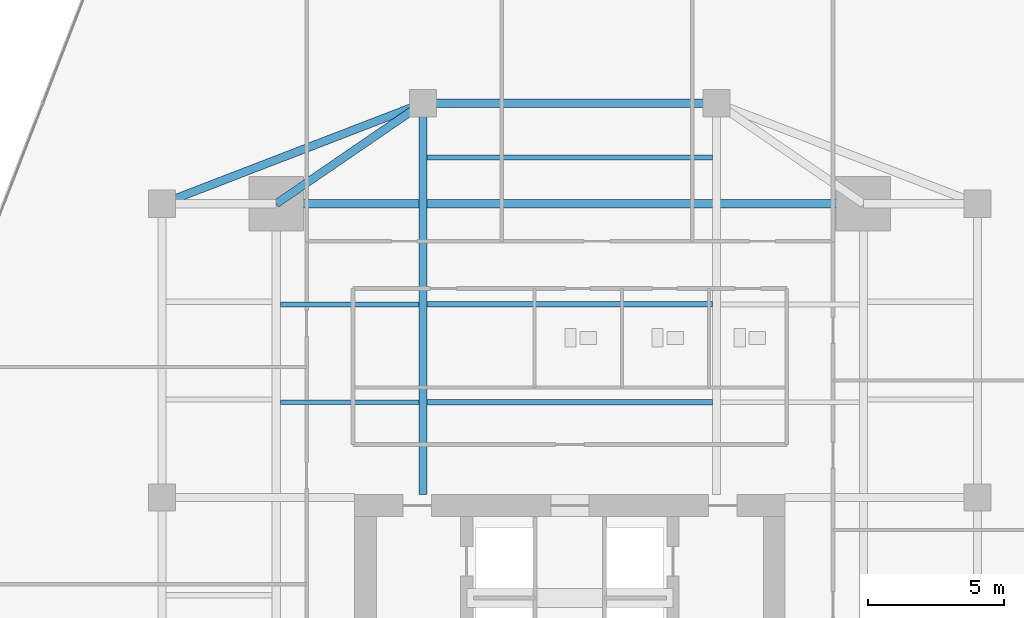
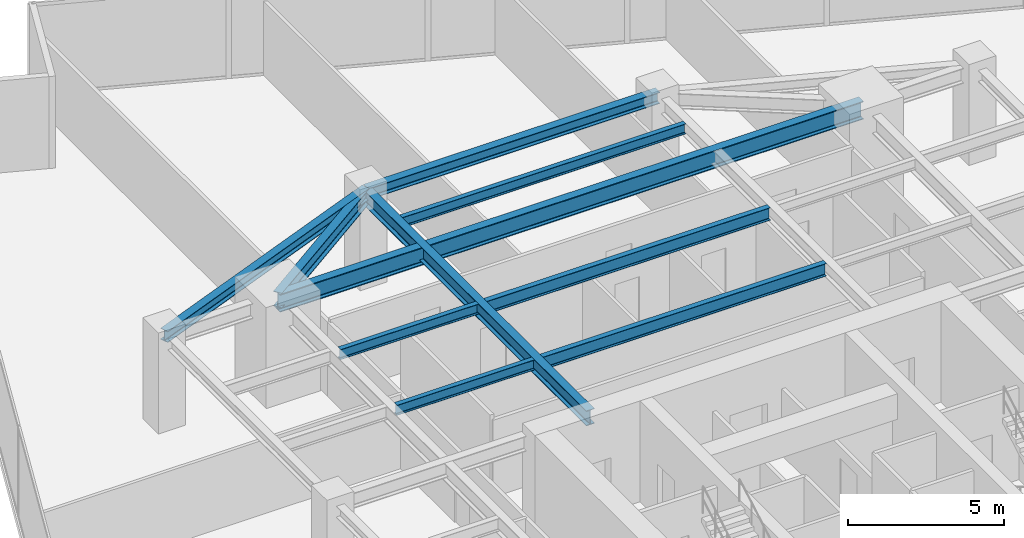
# One storey, part 15 of 26: 10 beams.
"""IFC4 building model written with IfcOpenShell, lengths in metres."""

from ifc_helpers import new_model, si_unit, direction, frame, origin, origin_2d, place, context, subcontext, project, spatial, i_section, extrude, source, transform, mapped, material, material_profile, profile_set, type_object, type_shapes, element, save


model = new_model("IFC4")

# Units and contexts
model_context = context("Model", 3, precision=1e-05, world=origin(), true_north=direction((0.0, 1.0)))
body_context = subcontext(model_context, "Body", "Model", "MODEL_VIEW")
ifc_project = project(units=[si_unit("LENGTHUNIT", "METRE"), si_unit("AREAUNIT", "SQUARE_METRE"), si_unit("VOLUMEUNIT", "CUBIC_METRE"), si_unit("PLANEANGLEUNIT", "RADIAN"), si_unit("MASSUNIT", "GRAM", prefix="KILO")], contexts=[model_context])

# Site, building, storey
site_placement = place(None, origin())
site = spatial("IfcSite", under=ifc_project, at=site_placement, CompositionType="ELEMENT")
building_placement = place(site_placement, origin())
building = spatial("IfcBuilding", under=site, at=building_placement, Name="Krantzveldt Concourse Tower", CompositionType="ELEMENT")
storey_placement = place(building_placement, frame((0.0, 0.0, 137.449951171875)))
storey = spatial("IfcBuildingStorey", under=building, at=storey_placement, Name="L33", CompositionType="ELEMENT", Elevation=137.449951171875)

# Beams
ifc_material_1 = material(Name="Steel S355J2", Category="steel")
ifc_material_profile_1 = material_profile(ifc_material_1, i_section(OverallWidth=0.300048828125, OverallDepth=0.699951171875, WebThickness=0.01708984375, FlangeThickness=0.031982421875, FilletRadius=0.027099609375, at=origin_2d()), Name="Steel S355J2", Category="steel")
ifc_profile_set_1 = profile_set([ifc_material_profile_1], Name="Steel S355J2 - HEB 700")
beam_type_1 = type_object("IfcBeamType", Name="BM-B-HEB700", PredefinedType="BEAM", material=ifc_profile_set_1)
shared_shape_1 = source(origin(), body_context, "Body", "SweptSolid", [
    extrude(i_section(OverallWidth=0.300048828125, OverallDepth=0.699951171875, WebThickness=0.01708984375, FlangeThickness=0.031982421875, FilletRadius=0.027099609375, at=origin_2d()), origin(), (0.0, 0.0, 1.0), 21.60009765625),
])
type_shapes(beam_type_1, [shared_shape_1])
beam_1_placement = place(storey_placement, frame((25.199951171875, 37.5, 3.25), z_axis=(1.0, 0.0, 0.0), x_axis=(0.0, 1.0, 0.0)))
element("IfcBeam", 1, at=beam_1_placement, inside=storey, type_object=beam_type_1, Name="L33 Tower Girder BG-MN", PredefinedType="BEAM", context=body_context, shape_type="MappedRepresentation", body=[
    mapped(shared_shape_1, transform((0.0, 0.0, 0.0), x_axis=(1.0, 0.0, 0.0), y_axis=(0.0, 1.0, 0.0), z_axis=(0.0, 0.0, 1.0), scale=1.0)),
])
ifc_material_2 = material(Name="Steel S355JR", Category="steel")
ifc_material_profile_2 = material_profile(ifc_material_2, i_section(OverallWidth=0.300048828125, OverallDepth=0.590087890625, WebThickness=0.012939453125, FlangeThickness=0.02490234375, FilletRadius=0.027099609375, at=origin_2d()), Name="Steel S355JR", Category="steel")
ifc_profile_set_2 = profile_set([ifc_material_profile_2], Name="Steel S355JR - HEA 600")
beam_type_2 = type_object("IfcBeamType", Name="BM-B-HEA600", PredefinedType="BEAM", material=ifc_profile_set_2)
shared_shape_2 = source(origin(), body_context, "Body", "SweptSolid", [
    extrude(i_section(OverallWidth=0.300048828125, OverallDepth=0.590087890625, WebThickness=0.012939453125, FlangeThickness=0.02490234375, FilletRadius=0.027099609375, at=origin_2d()), origin(), (0.0, 0.0, 1.0), 14.39990234375),
])
beam_2_placement = place(storey_placement, frame((30.60009765625, 26.800048828125, 3.304931640625), z_axis=(0.0, 1.0, 0.0), x_axis=(-1.0, 0.0, 0.0)))
element("IfcBeam", 2, at=beam_2_placement, inside=storey, type_object=beam_type_2, Name="L33 Tower Girder BG-CNW", PredefinedType="BEAM", context=body_context, shape_type="MappedRepresentation", body=[
    mapped(shared_shape_2, transform((0.0, 0.0, 0.0), x_axis=(1.0, 0.0, 0.0), y_axis=(0.0, 1.0, 0.0), z_axis=(0.0, 0.0, 1.0), scale=1.0)),
])
ifc_material_profile_3 = material_profile(ifc_material_2, i_section(OverallWidth=0.300048828125, OverallDepth=0.43994140625, WebThickness=0.011474609375, FlangeThickness=0.02099609375, FilletRadius=0.027099609375, at=origin_2d()), Name="Steel S355JR", Category="steel")
ifc_profile_set_3 = profile_set([ifc_material_profile_3], Name="Steel S355JR - HEA 450")
beam_type_3 = type_object("IfcBeamType", Name="BM-SP-HEA450", PredefinedType="SPANDREL", material=ifc_profile_set_3)
shared_shape_3 = source(origin(), body_context, "Body", "SweptSolid", [
    extrude(i_section(OverallWidth=0.300048828125, OverallDepth=0.43994140625, WebThickness=0.011474609375, FlangeThickness=0.02099609375, FilletRadius=0.027099609375, at=origin_2d()), origin(), (0.0, 0.0, 1.0), 10.288330078125),
])
beam_3_placement = place(storey_placement, frame((21.0, 37.5, 3.380126953125), z_axis=(0.933097690408, 0.359622997257, 0.0), x_axis=(-0.359622997257, 0.933097690408, 0.0)))
element("IfcBeam", 3, at=beam_3_placement, inside=storey, type_object=beam_type_3, Name="L33 Tower Girder SP-R03", PredefinedType="SPANDREL", context=body_context, shape_type="MappedRepresentation", body=[
    mapped(shared_shape_3, transform((0.0, 0.0, 0.0), x_axis=(1.0, 0.0, 0.0), y_axis=(0.0, 1.0, 0.0), z_axis=(0.0, 0.0, 1.0), scale=1.0)),
])
shared_shape_4 = source(origin(), body_context, "Body", "SweptSolid", [
    extrude(i_section(OverallWidth=0.300048828125, OverallDepth=0.43994140625, WebThickness=0.011474609375, FlangeThickness=0.02099609375, FilletRadius=0.027099609375, at=origin_2d()), origin(), (0.0, 0.0, 1.0), 10.7998046875),
])
type_shapes(beam_type_3, [shared_shape_3, shared_shape_4])
beam_4_placement = place(storey_placement, frame((30.60009765625, 41.199951171875, 3.380126953125), z_axis=(1.0, 0.0, 0.0), x_axis=(0.0, 1.0, 0.0)))
element("IfcBeam", 4, at=beam_4_placement, inside=storey, type_object=beam_type_3, Name="L33 Tower Girder SP-R04", PredefinedType="SPANDREL", context=body_context, shape_type="MappedRepresentation", body=[
    mapped(shared_shape_4, transform((0.0, 0.0, 0.0), x_axis=(1.0, 0.0, 0.0), y_axis=(0.0, 1.0, 0.0), z_axis=(0.0, 0.0, 1.0), scale=1.0)),
])
shared_shape_5 = source(origin(), body_context, "Body", "SweptSolid", [
    extrude(i_section(OverallWidth=0.300048828125, OverallDepth=0.590087890625, WebThickness=0.012939453125, FlangeThickness=0.02490234375, FilletRadius=0.027099609375, at=origin_2d()), origin(), (0.0, 0.0, 1.0), 6.546142578125),
])
type_shapes(beam_type_2, [shared_shape_2, shared_shape_5])
beam_5_placement = place(storey_placement, frame((25.199951171875, 37.5, 3.304931640625), z_axis=(0.824942999484, 0.565215930068, 0.0), x_axis=(-0.565215930068, 0.824942999484, 0.0)))
element("IfcBeam", 5, at=beam_5_placement, inside=storey, type_object=beam_type_2, Name="L33 Tower Girder BR-RL4", PredefinedType="BEAM", context=body_context, shape_type="MappedRepresentation", body=[
    mapped(shared_shape_5, transform((0.0, 0.0, 0.0), x_axis=(1.0, 0.0, 0.0), y_axis=(0.0, 1.0, 0.0), z_axis=(0.0, 0.0, 1.0), scale=1.0)),
])
ifc_material_profile_4 = material_profile(ifc_material_2, i_section(OverallWidth=0.199951171875, OverallDepth=0.5, WebThickness=0.01025390625, FlangeThickness=0.01611328125, FilletRadius=0.02099609375, at=origin_2d()), Name="Steel S355JR", Category="steel")
ifc_profile_set_4 = profile_set([ifc_material_profile_4], Name="Steel S355JR - IPE 500")
beam_type_4 = type_object("IfcBeamType", Name="BM-J-IPE500", PredefinedType="JOIST", material=ifc_profile_set_4)
shared_shape_6 = source(origin(), body_context, "Body", "SweptSolid", [
    extrude(i_section(OverallWidth=0.199951171875, OverallDepth=0.5, WebThickness=0.01025390625, FlangeThickness=0.01611328125, FilletRadius=0.02099609375, at=origin_2d()), origin(), (0.0, 0.0, 1.0), 10.5),
])
type_shapes(beam_type_4, [shared_shape_6])
for number, where, z_axis, x_axis, name in (
    (6, (30.75, 30.199951171875, 3.35009765625), (1.0, 0.0, 0.0), (0.0, 1.0, 0.0), "L33 Secondary Floor Joist JN-C1"),
    (7, (30.75, 33.800048828125, 3.35009765625), (1.0, 0.0, 0.0), (0.0, 1.0, 0.0), "L33 Secondary Floor Joist JN-C2"),
):
    element("IfcBeam", number, at=place(storey_placement, frame(where, z_axis=z_axis, x_axis=x_axis)), inside=storey, type_object=beam_type_4, Name=name, PredefinedType="JOIST", context=body_context, shape_type="MappedRepresentation", body=[
        mapped(shared_shape_6, transform((0.0, 0.0, 0.0), x_axis=(1.0, 0.0, 0.0), y_axis=(0.0, 1.0, 0.0), z_axis=(0.0, 0.0, 1.0), scale=1.0)),
    ])
ifc_material_profile_5 = material_profile(ifc_material_2, i_section(OverallWidth=0.179931640625, OverallDepth=0.39990234375, WebThickness=0.008544921875, FlangeThickness=0.013427734375, FilletRadius=0.02099609375, at=origin_2d()), Name="Steel S355JR", Category="steel")
ifc_profile_set_5 = profile_set([ifc_material_profile_5], Name="Steel S355JR - IPE 400")
beam_type_5 = type_object("IfcBeamType", Name="BM-J-IPE400", PredefinedType="JOIST", material=ifc_profile_set_5)
shared_shape_7 = source(origin(), body_context, "Body", "SweptSolid", [
    extrude(i_section(OverallWidth=0.179931640625, OverallDepth=0.39990234375, WebThickness=0.008544921875, FlangeThickness=0.013427734375, FilletRadius=0.02099609375, at=origin_2d()), origin(), (0.0, 0.0, 1.0), 10.5),
])
beam_6_placement = place(storey_placement, frame((30.75, 39.199951171875, 3.400146484375), z_axis=(1.0, 0.0, 0.0), x_axis=(0.0, 1.0, 0.0)))
element("IfcBeam", 8, at=beam_6_placement, inside=storey, type_object=beam_type_5, Name="L33 Secondary Floor Joist JN-C3", PredefinedType="JOIST", context=body_context, shape_type="MappedRepresentation", body=[
    mapped(shared_shape_7, transform((0.0, 0.0, 0.0), x_axis=(1.0, 0.0, 0.0), y_axis=(0.0, 1.0, 0.0), z_axis=(0.0, 0.0, 1.0), scale=1.0)),
])
shared_shape_8 = source(origin(), body_context, "Body", "SweptSolid", [
    extrude(i_section(OverallWidth=0.179931640625, OverallDepth=0.39990234375, WebThickness=0.008544921875, FlangeThickness=0.013427734375, FilletRadius=0.02099609375, at=origin_2d()), origin(), (0.0, 0.0, 1.0), 5.099853515625),
])
type_shapes(beam_type_5, [shared_shape_7, shared_shape_8])
for number, where, z_axis, x_axis, name in (
    (9, (25.35009765625, 30.199951171875, 3.400146484375), (1.0, 0.0, 0.0), (0.0, 1.0, 0.0), "L33 Secondary Floor Joist JN-W1"),
    (10, (25.35009765625, 33.800048828125, 3.400146484375), (1.0, 0.0, 0.0), (0.0, 1.0, 0.0), "L33 Secondary Floor Joist JN-W2"),
):
    element("IfcBeam", number, at=place(storey_placement, frame(where, z_axis=z_axis, x_axis=x_axis)), inside=storey, type_object=beam_type_5, Name=name, PredefinedType="JOIST", context=body_context, shape_type="MappedRepresentation", body=[
        mapped(shared_shape_8, transform((0.0, 0.0, 0.0), x_axis=(1.0, 0.0, 0.0), y_axis=(0.0, 1.0, 0.0), z_axis=(0.0, 0.0, 1.0), scale=1.0)),
    ])

save(model, "model.ifc")
